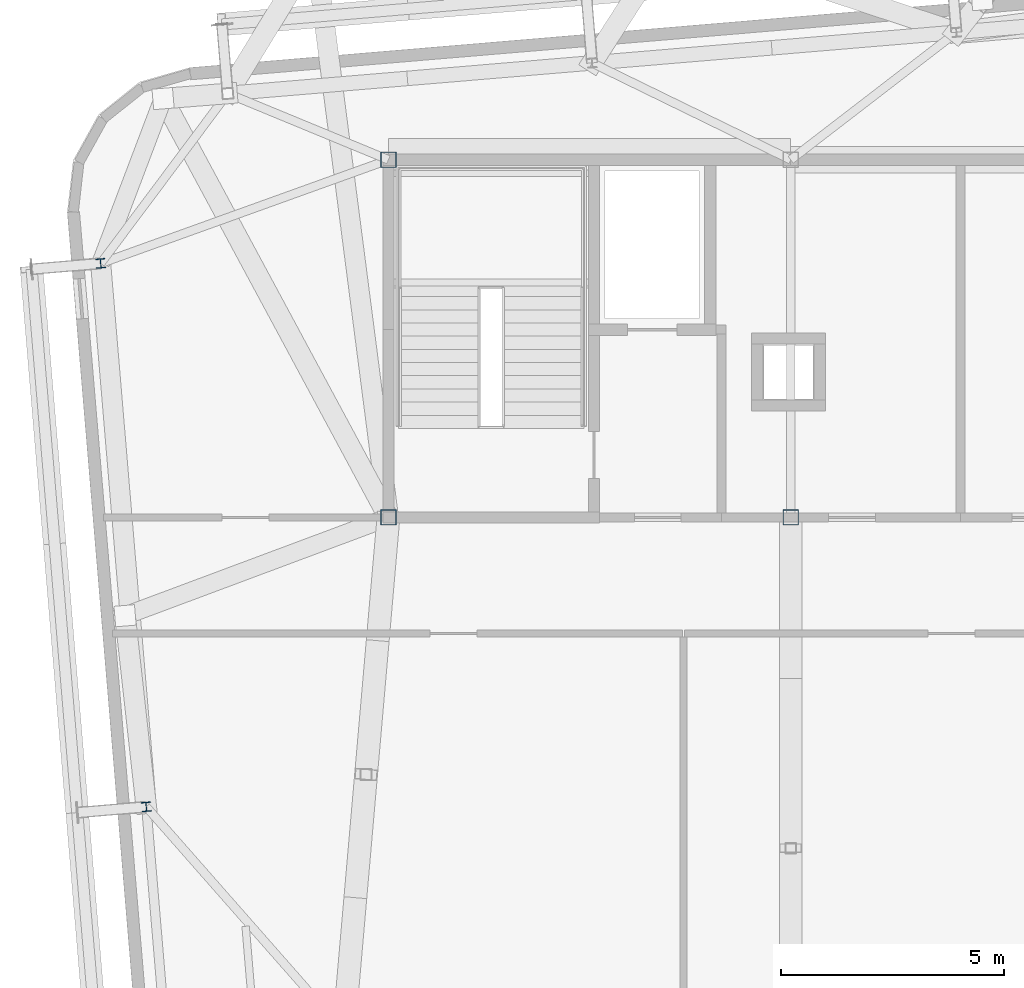
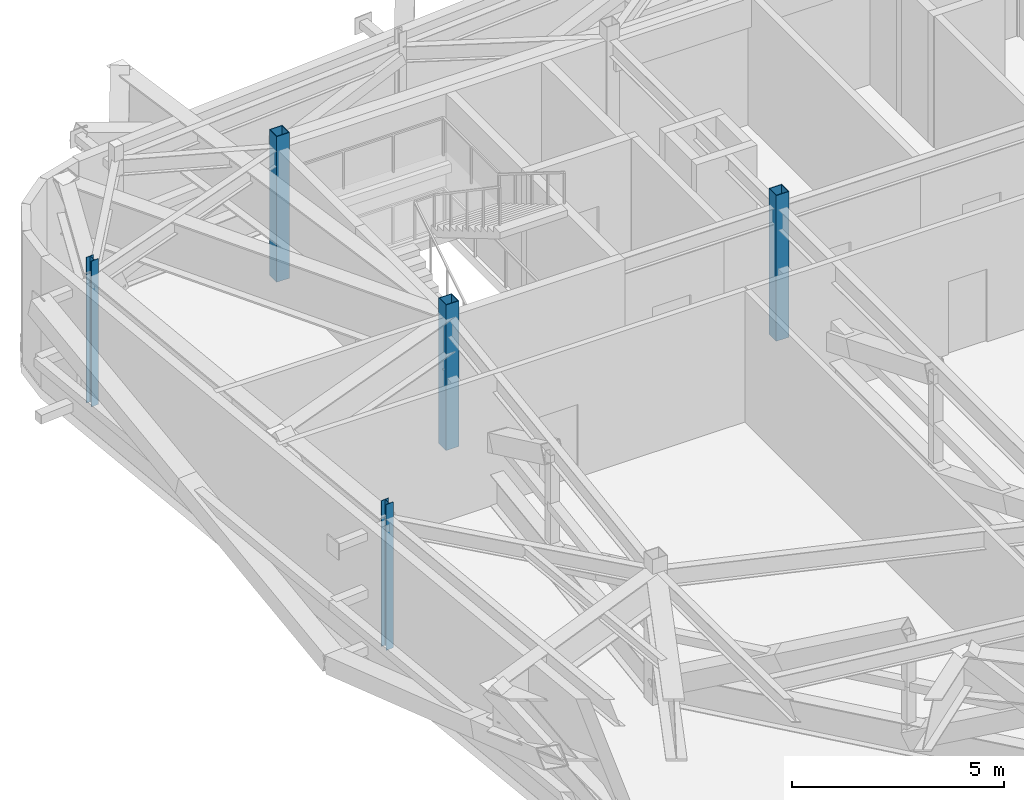
# One storey, part 2 of 26: 5 columns.
"""IFC4 building model written with IfcOpenShell, lengths in metres."""

from ifc_helpers import new_model, si_unit, direction, frame, origin, origin_2d, place, context, subcontext, project, spatial, hollow_rectangle, i_section, extrude, source, transform, mapped, material, material_profile, profile_set, type_object, element, save


model = new_model("IFC4")

# Units and contexts
model_context = context("Model", 3, precision=1e-05, world=origin(), true_north=direction((0.0, 1.0)))
body_context = subcontext(model_context, "Body", "Model", "MODEL_VIEW")
ifc_project = project(units=[si_unit("LENGTHUNIT", "METRE"), si_unit("AREAUNIT", "SQUARE_METRE"), si_unit("VOLUMEUNIT", "CUBIC_METRE"), si_unit("PLANEANGLEUNIT", "RADIAN"), si_unit("MASSUNIT", "GRAM", prefix="KILO")], contexts=[model_context])

# Site, building, storey
site_placement = place(None, origin())
site = spatial("IfcSite", under=ifc_project, at=site_placement, CompositionType="ELEMENT")
building_placement = place(site_placement, origin())
building = spatial("IfcBuilding", under=site, at=building_placement, Name="Taldren Reach Tower", CompositionType="ELEMENT")
storey_placement = place(building_placement, frame((0.0, 0.0, 207.199951171875)))
storey = spatial("IfcBuildingStorey", under=building, at=storey_placement, Name="L63", CompositionType="ELEMENT", Elevation=207.199951171875)

# Columns
ifc_material_1 = material(Name="Steel Gr 450 (C450L0)", Category="steel")
ifc_material_profile_1 = material_profile(ifc_material_1, hollow_rectangle(XDim=0.35009765625, YDim=0.35009765625, WallThickness=0.01611328125, at=origin_2d()), Name="350x350x16.0SHS")
ifc_profile_set_1 = profile_set([ifc_material_profile_1], Name="Steel Gr 450 (C450L0)")
column_type_1 = type_object("IfcColumnType", Name="COL-SHS350", PredefinedType="COLUMN", material=ifc_profile_set_1)
shared_shape_1 = source(origin(), body_context, "Body", "SweptSolid", [
    extrude(hollow_rectangle(XDim=0.35009765625, YDim=0.35009765625, WallThickness=0.01611328125, at=origin_2d()), origin(), (0.0, 0.0, 1.0), 4.199951171875),
])
for number, where, z_axis, x_axis, name in (
    (1, (19.0, 24.0, 0.0), (0.0, 0.0, 1.0), (1.0, 0.0, 0.0), "Mega column MC-C1 L63"),
    (2, (28.0, 24.0, 0.0), (0.0, 0.0, 1.0), (1.0, 0.0, 0.0), "Mega column MC-C2 L63"),
    (3, (19.0, 32.0, 0.0), (0.0, 0.0, 1.0), (1.0, 0.0, 0.0), "Mega column MC-C5 L63"),
):
    element("IfcColumn", number, at=place(storey_placement, frame(where, z_axis=z_axis, x_axis=x_axis)), inside=storey, type_object=column_type_1, Name=name, PredefinedType="COLUMN", context=body_context, shape_type="MappedRepresentation", body=[
        mapped(shared_shape_1, transform((0.0, 0.0, 0.0), scale=1.0)),
    ])
ifc_material_2 = material(Name="Steel Gr 350 (350PLUS)", Category="steel")
ifc_material_profile_2 = material_profile(ifc_material_2, i_section(OverallWidth=0.205078125, OverallDepth=0.2099609375, WebThickness=0.00927734375, FlangeThickness=0.01416015625, at=origin_2d()), Name="200UC59.5")
ifc_profile_set_2 = profile_set([ifc_material_profile_2], Name="Steel Gr 350 (350PLUS)")
column_type_2 = type_object("IfcColumnType", Name="COL-UC200", PredefinedType="COLUMN", material=ifc_profile_set_2)
shared_shape_2 = source(origin(), body_context, "Body", "SweptSolid", [
    extrude(i_section(OverallWidth=0.205078125, OverallDepth=0.2099609375, WebThickness=0.00927734375, FlangeThickness=0.01416015625, at=origin_2d()), origin(), (0.0, 0.0, 1.0), 4.199951171875),
])
for number, where, z_axis, x_axis, name in (
    (4, (13.582763671875, 17.525146484375, 0.0), (0.0, 0.0, 1.0), (0.99649285925, 0.083677843332, 0.0), "Block B4 perimeter column W2 L63"),
    (5, (12.56201171875, 29.682373046875, 0.0), (0.0, 0.0, 1.0), (0.99649285925, 0.083677843332, 0.0), "Block B4 perimeter column W3 L63"),
):
    element("IfcColumn", number, at=place(storey_placement, frame(where, z_axis=z_axis, x_axis=x_axis)), inside=storey, type_object=column_type_2, Name=name, PredefinedType="COLUMN", context=body_context, shape_type="MappedRepresentation", body=[
        mapped(shared_shape_2, transform((0.0, 0.0, 0.0), scale=1.0)),
    ])

save(model, "model.ifc")
